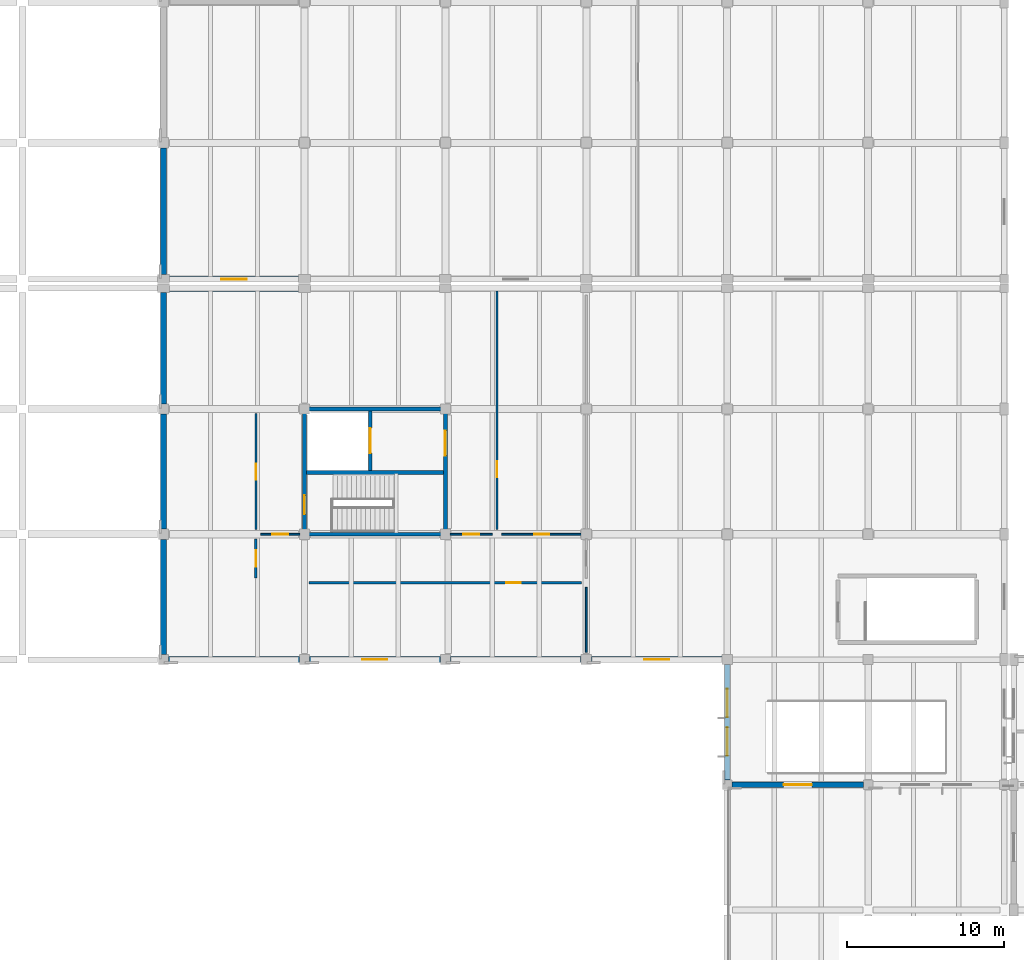
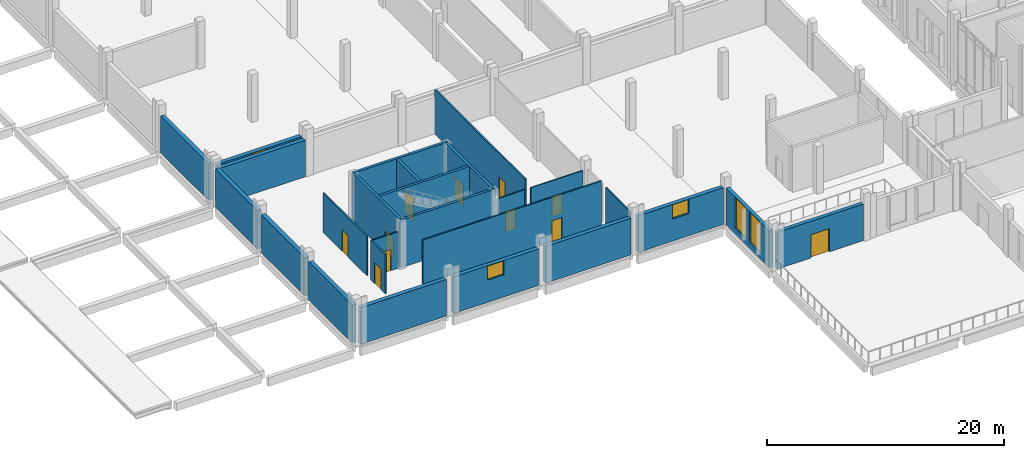
# One storey, part 75 of 110: 26 walls, 11 doors, 5 windows, 16 openings.
"""IFC4 building model written with IfcOpenShell, lengths in metres."""

from ifc_helpers import new_model, si_unit, direction, frame, frame_2d, origin, place, context, subcontext, project, spatial, rectangle, extrude, material, layer, layer_set, type_object, element, fill, save


model = new_model("IFC4")

# Units and contexts
model_context = context("Model", 3, precision=1e-05, world=origin(), true_north=direction((0.0, 1.0)))
body_context = subcontext(model_context, "Body", "Model", "MODEL_VIEW")
ifc_project = project(units=[si_unit("LENGTHUNIT", "METRE"), si_unit("AREAUNIT", "SQUARE_METRE"), si_unit("VOLUMEUNIT", "CUBIC_METRE"), si_unit("PLANEANGLEUNIT", "RADIAN"), si_unit("MASSUNIT", "GRAM", prefix="KILO")], contexts=[model_context])

# Site, building, storey
site_placement = place(None, origin())
site = spatial("IfcSite", under=ifc_project, at=site_placement, CompositionType="ELEMENT")
building_placement = place(site_placement, origin())
building = spatial("IfcBuilding", under=site, at=building_placement, Name="Zacnel Wholesale Market", CompositionType="ELEMENT")
storey_placement = place(building_placement, frame((0.0, 0.0, 6.300048828125)))
storey = spatial("IfcBuildingStorey", under=building, at=storey_placement, Name="L02", CompositionType="ELEMENT", Elevation=6.300048828125)

# Walls
ifc_material_1 = material(Name="Concrete C40/50", Category="concrete")
ifc_layer_1 = layer(ifc_material_1, 0.25)
ifc_layer_set_1 = layer_set([ifc_layer_1], Name="Concrete C40/50")
wall_type_1 = type_object("IfcWallType", Name="WL-CORE-SW250", PredefinedType="SOLIDWALL", material=ifc_layer_set_1)
for number, where, z_axis, x_axis, name in (
    (1, (26.875, 32.0, 0.0), (0.0, 0.0, 1.0), (1.0, 0.0, 0.0), "Core C3 south shear wall L02"),
    (2, (26.875, 40.0, 0.0), (0.0, 0.0, 1.0), (1.0, 0.0, 0.0), "Core C3 north shear wall L02"),
):
    element("IfcWall", number, at=place(storey_placement, frame(where, z_axis=z_axis, x_axis=x_axis)), inside=storey, type_object=wall_type_1, Name=name, PredefinedType="SOLIDWALL", context=body_context, shape_type="SweptSolid", body=[
        extrude(rectangle(XDim=9.25, YDim=0.25, at=frame_2d((4.625, 0.0))), origin(), (0.0, 0.0, 1.0), 4.89990234375),
    ])

# Wall, opening, door
wall_1_placement = place(storey_placement, frame((27.0, 32.125, 0.0), z_axis=(0.0, 0.0, 1.0), x_axis=(0.0, 1.0, 0.0)))
wall_1 = element("IfcWall", 3, at=wall_1_placement, inside=storey, type_object=wall_type_1, Name="Core C3 west shear wall L02", PredefinedType="SOLIDWALL", context=body_context, shape_type="SweptSolid", body=[
    extrude(rectangle(XDim=7.75, YDim=0.25, at=frame_2d((3.875, 0.0))), origin(), (0.0, 0.0, 1.0), 4.89990234375),
])
opening_1_placement = place(wall_1_placement, frame((1.14990234375, 0.0, 0.0)))
opening_1 = element("IfcOpeningElement", 4, at=opening_1_placement, cuts=wall_1, Name="Opening FD-01", PredefinedType="OPENING", context=body_context, shape_type="SweptSolid", body=[
    extrude(rectangle(XDim=1.199951171875, YDim=2.199951171875, at=frame_2d((0.60009765625, 1.10009765625))), frame((0.0, 0.135009765625, 0.0), z_axis=(0.0, -1.0, 0.0), x_axis=(1.0, 0.0, 0.0)), (0.0, 0.0, 1.0), 0.27001953125),
])
ifc_material_2 = material(Name="Galvanized steel", Category="steel")
door_type_1 = type_object("IfcDoorType", Name="DR-FIRE-STAIR-1200", OperationType="NOTDEFINED", PredefinedType="DOOR", material=ifc_material_2)
door_1_placement = place(opening_1_placement, origin())
door_1 = element("IfcDoor", 5, at=door_1_placement, inside=storey, type_object=door_type_1, Name="Protected stair fire door C3 L02", OperationType="SINGLE_SWING_RIGHT", OverallHeight=2.199951171875, OverallWidth=1.199951171875, PredefinedType="DOOR", context=body_context, shape_type="SweptSolid", body=[
    extrude(rectangle(XDim=1.199951171875, YDim=2.199951171875, at=frame_2d((0.60009765625, 1.10009765625))), frame((0.0, 0.02490234375, 0.0), z_axis=(0.0, -1.0, 0.0), x_axis=(1.0, 0.0, 0.0)), (0.0, 0.0, 1.0), 0.050048828125),
])
fill(opening_1, door_1)

wall_2_placement = place(storey_placement, frame((36.0, 32.125, 0.0), z_axis=(0.0, 0.0, 1.0), x_axis=(0.0, 1.0, 0.0)))
wall_2 = element("IfcWall", 6, at=wall_2_placement, inside=storey, type_object=wall_type_1, Name="Core C3 east shear wall L02", PredefinedType="SOLIDWALL", context=body_context, shape_type="SweptSolid", body=[
    extrude(rectangle(XDim=7.75, YDim=0.25, at=frame_2d((3.875, 0.0))), origin(), (0.0, 0.0, 1.0), 4.89990234375),
])
opening_2_placement = place(wall_2_placement, frame((4.89990234375, 0.0, 0.0)))
opening_2 = element("IfcOpeningElement", 7, at=opening_2_placement, cuts=wall_2, Name="Opening FD-02", PredefinedType="OPENING", context=body_context, shape_type="SweptSolid", body=[
    extrude(rectangle(XDim=1.60009765625, YDim=2.199951171875, at=frame_2d((0.800048828125, 1.10009765625))), frame((0.0, 0.135009765625, 0.0), z_axis=(0.0, -1.0, 0.0), x_axis=(1.0, 0.0, 0.0)), (0.0, 0.0, 1.0), 0.27001953125),
])
ifc_material_3 = material(Name="Galvanized steel", Category="steel")
door_type_2 = type_object("IfcDoorType", Name="DR-FIRE-LOBBY-1600", OperationType="NOTDEFINED", PredefinedType="DOOR", material=ifc_material_3)
door_2_placement = place(opening_2_placement, origin())
door_2 = element("IfcDoor", 8, at=door_2_placement, inside=storey, type_object=door_type_2, Name="Core lift lobby fire door C3 L02", OperationType="SINGLE_SWING_LEFT", OverallHeight=2.199951171875, OverallWidth=1.60009765625, PredefinedType="DOOR", context=body_context, shape_type="SweptSolid", body=[
    extrude(rectangle(XDim=1.60009765625, YDim=2.199951171875, at=frame_2d((0.800048828125, 1.10009765625))), frame((0.0, 0.02490234375, 0.0), z_axis=(0.0, -1.0, 0.0), x_axis=(1.0, 0.0, 0.0)), (0.0, 0.0, 1.0), 0.050048828125),
])
fill(opening_2, door_2)

# Wall
wall_3_placement = place(storey_placement, frame((27.125, 35.949951171875, 0.0), z_axis=(0.0, 0.0, 1.0), x_axis=(1.0, 0.0, 0.0)))
element("IfcWall", 9, at=wall_3_placement, inside=storey, type_object=wall_type_1, Name="Core C3 stair-shaft shear wall L02", PredefinedType="SOLIDWALL", context=body_context, shape_type="SweptSolid", body=[
    extrude(rectangle(XDim=8.75, YDim=0.25, at=frame_2d((4.375, 0.0))), origin(), (0.0, 0.0, 1.0), 4.89990234375),
])

# Wall, opening, door
wall_4_placement = place(storey_placement, frame((31.199951171875, 36.074951171875, 0.0), z_axis=(0.0, 0.0, 1.0), x_axis=(0.0, 1.0, 0.0)))
wall_4 = element("IfcWall", 10, at=wall_4_placement, inside=storey, type_object=wall_type_1, Name="Core C3 lift shaft front wall L02", PredefinedType="SOLIDWALL", context=body_context, shape_type="SweptSolid", body=[
    extrude(rectangle(XDim=3.800048828125, YDim=0.25, at=frame_2d((1.89990234375, 0.0))), origin(), (0.0, 0.0, 1.0), 4.89990234375),
])
opening_3_placement = place(wall_4_placement, frame((1.10009765625, 0.0, 0.0)))
opening_3 = element("IfcOpeningElement", 11, at=opening_3_placement, cuts=wall_4, Name="Opening LD-02", PredefinedType="OPENING", context=body_context, shape_type="SweptSolid", body=[
    extrude(rectangle(XDim=1.60009765625, YDim=2.39990234375, at=frame_2d((0.800048828125, 1.199951171875))), frame((0.0, 0.135009765625, 0.0), z_axis=(0.0, -1.0, 0.0), x_axis=(1.0, 0.0, 0.0)), (0.0, 0.0, 1.0), 0.27001953125),
])
ifc_material_4 = material(Name="Galvanized steel", Category="steel")
door_type_3 = type_object("IfcDoorType", Name="DR-LIFT-GOODS-1600", OperationType="NOTDEFINED", PredefinedType="DOOR", material=ifc_material_4)
door_3_placement = place(opening_3_placement, origin())
door_3 = element("IfcDoor", 12, at=door_3_placement, inside=storey, type_object=door_type_3, Name="Lift landing door LG-01 L02", OperationType="SLIDING_TO_LEFT", OverallHeight=2.39990234375, OverallWidth=1.60009765625, PredefinedType="DOOR", context=body_context, shape_type="SweptSolid", body=[
    extrude(rectangle(XDim=1.60009765625, YDim=2.39990234375, at=frame_2d((0.800048828125, 1.199951171875))), frame((0.0, 0.02490234375, 0.0), z_axis=(0.0, -1.0, 0.0), x_axis=(1.0, 0.0, 0.0)), (0.0, 0.0, 1.0), 0.050048828125),
])
fill(opening_3, door_3)

# Wall
ifc_material_5 = material(Name="Precast concrete C40/50 (insulated sandwich panel)", Category="concrete")
ifc_layer_2 = layer(ifc_material_5, 0.3798828125)
ifc_layer_set_2 = layer_set([ifc_layer_2], Name="Precast concrete C40/50 (insulated sandwich panel)")
wall_type_2 = type_object("IfcWallType", Name="WL-EXT-COLD-380", PredefinedType="SOLIDWALL", material=ifc_layer_set_2)
wall_5_placement = place(storey_placement, frame((18.324951171875, 24.0, 0.0), z_axis=(0.0, 0.0, 1.0), x_axis=(1.0, 0.0, 0.0)))
element("IfcWall", 13, at=wall_5_placement, inside=storey, type_object=wall_type_2, Name="Exterior wall L02-0176", PredefinedType="SOLIDWALL", context=body_context, shape_type="SweptSolid", body=[
    extrude(rectangle(XDim=8.35009765625, YDim=0.3798828125, at=frame_2d((4.175048828125, 0.0))), origin(), (0.0, 0.0, 1.0), 3.780029296875),
])

# Wall, opening, window
wall_6_placement = place(storey_placement, frame((27.324951171875, 24.0, 0.0), z_axis=(0.0, 0.0, 1.0), x_axis=(1.0, 0.0, 0.0)))
wall_6 = element("IfcWall", 14, at=wall_6_placement, inside=storey, type_object=wall_type_2, Name="Exterior wall L02-0177", PredefinedType="SOLIDWALL", context=body_context, shape_type="SweptSolid", body=[
    extrude(rectangle(XDim=8.35009765625, YDim=0.3798828125, at=frame_2d((4.175048828125, 0.0))), origin(), (0.0, 0.0, 1.0), 3.780029296875),
])
opening_4_placement = place(wall_6_placement, frame((3.375, 0.0, 2.2900390625)))
opening_4 = element("IfcOpeningElement", 15, at=opening_4_placement, cuts=wall_6, Name="Opening W-06", PredefinedType="OPENING", context=body_context, shape_type="SweptSolid", body=[
    extrude(rectangle(XDim=1.60009765625, YDim=1.449951171875, at=frame_2d((0.800048828125, 0.72509765625))), frame((0.0, 0.199951171875, 0.0), z_axis=(0.0, -1.0, 0.0), x_axis=(1.0, 0.0, 0.0)), (0.0, 0.0, 1.0), 0.39990234375),
])
ifc_material_6 = material(Name="Laminated hurricane-impact low-E insulated glass", Category="glass")
window_type_1 = type_object("IfcWindowType", Name="WIN-HIG-1600X1450", PartitioningType="DOUBLE_PANEL_HORIZONTAL", PredefinedType="WINDOW", material=ifc_material_6)
window_1_placement = place(opening_4_placement, origin())
window_1 = element("IfcWindow", 16, at=window_1_placement, inside=storey, type_object=window_type_1, Name="Window L02-0192", OverallHeight=1.449951171875, OverallWidth=1.60009765625, PartitioningType="DOUBLE_PANEL_HORIZONTAL", PredefinedType="WINDOW", context=body_context, shape_type="SweptSolid", body=[
    extrude(rectangle(XDim=1.60009765625, YDim=1.449951171875, at=frame_2d((0.800048828125, 0.72509765625))), frame((0.0, 0.030029296875, 0.0), z_axis=(0.0, -1.0, 0.0), x_axis=(1.0, 0.0, 0.0)), (0.0, 0.0, 1.0), 0.06005859375),
])
fill(opening_4, window_1)

# Wall
wall_7_placement = place(storey_placement, frame((36.324951171875, 24.0, 0.0), z_axis=(0.0, 0.0, 1.0), x_axis=(1.0, 0.0, 0.0)))
element("IfcWall", 17, at=wall_7_placement, inside=storey, type_object=wall_type_2, Name="Exterior wall L02-0178", PredefinedType="SOLIDWALL", context=body_context, shape_type="SweptSolid", body=[
    extrude(rectangle(XDim=8.35009765625, YDim=0.3798828125, at=frame_2d((4.175048828125, 0.0))), origin(), (0.0, 0.0, 1.0), 3.780029296875),
])

# Wall, opening, window
wall_8_placement = place(storey_placement, frame((45.324951171875, 24.0, 0.0), z_axis=(0.0, 0.0, 1.0), x_axis=(1.0, 0.0, 0.0)))
wall_8 = element("IfcWall", 18, at=wall_8_placement, inside=storey, type_object=wall_type_2, Name="Exterior wall L02-0179", PredefinedType="SOLIDWALL", context=body_context, shape_type="SweptSolid", body=[
    extrude(rectangle(XDim=8.35009765625, YDim=0.3798828125, at=frame_2d((4.175048828125, 0.0))), origin(), (0.0, 0.0, 1.0), 3.780029296875),
])
opening_5_placement = place(wall_8_placement, frame((3.375, 0.0, 2.2900390625)))
opening_5 = element("IfcOpeningElement", 19, at=opening_5_placement, cuts=wall_8, Name="Opening W-06", PredefinedType="OPENING", context=body_context, shape_type="SweptSolid", body=[
    extrude(rectangle(XDim=1.60009765625, YDim=1.449951171875, at=frame_2d((0.800048828125, 0.72509765625))), frame((0.0, 0.199951171875, 0.0), z_axis=(0.0, -1.0, 0.0), x_axis=(1.0, 0.0, 0.0)), (0.0, 0.0, 1.0), 0.39990234375),
])
window_2_placement = place(opening_5_placement, origin())
window_2 = element("IfcWindow", 20, at=window_2_placement, inside=storey, type_object=window_type_1, Name="Window L02-0193", OverallHeight=1.449951171875, OverallWidth=1.60009765625, PartitioningType="DOUBLE_PANEL_HORIZONTAL", PredefinedType="WINDOW", context=body_context, shape_type="SweptSolid", body=[
    extrude(rectangle(XDim=1.60009765625, YDim=1.449951171875, at=frame_2d((0.800048828125, 0.72509765625))), frame((0.0, 0.030029296875, 0.0), z_axis=(0.0, -1.0, 0.0), x_axis=(1.0, 0.0, 0.0)), (0.0, 0.0, 1.0), 0.06005859375),
])
fill(opening_5, window_2)

# Walls
wall_9_placement = place(storey_placement, frame((18.375, 47.699951171875, 0.0), z_axis=(0.0, 0.0, 1.0), x_axis=(1.0, 0.0, 0.0)))
element("IfcWall", 21, at=wall_9_placement, inside=storey, type_object=wall_type_2, Name="Exterior wall L02-0180", PredefinedType="SOLIDWALL", context=body_context, shape_type="SweptSolid", body=[
    extrude(rectangle(XDim=8.25, YDim=0.3798828125, at=frame_2d((4.125, 0.0))), origin(), (0.0, 0.0, 1.0), 3.780029296875),
])
for number, where, z_axis, x_axis, name in (
    (22, (18.0, 24.324951171875, 0.0), (0.0, 0.0, 1.0), (0.0, 1.0, 0.0), "Exterior wall L02-0186"),
    (23, (18.0, 32.324951171875, 0.0), (0.0, 0.0, 1.0), (0.0, 1.0, 0.0), "Exterior wall L02-0187"),
):
    element("IfcWall", number, at=place(storey_placement, frame(where, z_axis=z_axis, x_axis=x_axis)), inside=storey, type_object=wall_type_2, Name=name, PredefinedType="SOLIDWALL", context=body_context, shape_type="SweptSolid", body=[
        extrude(rectangle(XDim=7.35009765625, YDim=0.3798828125, at=frame_2d((3.675048828125, 0.0))), origin(), (0.0, 0.0, 1.0), 3.949951171875),
    ])
wall_10_placement = place(storey_placement, frame((18.0, 40.324951171875, 0.0), z_axis=(0.0, 0.0, 1.0), x_axis=(0.0, 1.0, 0.0)))
element("IfcWall", 24, at=wall_10_placement, inside=storey, type_object=wall_type_2, Name="Exterior wall L02-0188", PredefinedType="SOLIDWALL", context=body_context, shape_type="SweptSolid", body=[
    extrude(rectangle(XDim=7.10009765625, YDim=0.3798828125, at=frame_2d((3.550048828125, 0.0))), origin(), (0.0, 0.0, 1.0), 3.949951171875),
])

# Wall, opening, window
wall_11_placement = place(storey_placement, frame((18.375, 48.300048828125, 0.0), z_axis=(0.0, 0.0, 1.0), x_axis=(1.0, 0.0, 0.0)))
wall_11 = element("IfcWall", 25, at=wall_11_placement, inside=storey, type_object=wall_type_2, Name="Exterior wall L02-0192", PredefinedType="SOLIDWALL", context=body_context, shape_type="SweptSolid", body=[
    extrude(rectangle(XDim=8.25, YDim=0.3798828125, at=frame_2d((4.125, 0.0))), origin(), (0.0, 0.0, 1.0), 3.780029296875),
])
opening_6_placement = place(wall_11_placement, frame((3.324951171875, 0.0, 2.2900390625)))
opening_6 = element("IfcOpeningElement", 26, at=opening_6_placement, cuts=wall_11, Name="Opening W-06", PredefinedType="OPENING", context=body_context, shape_type="SweptSolid", body=[
    extrude(rectangle(XDim=1.60009765625, YDim=1.449951171875, at=frame_2d((0.800048828125, 0.72509765625))), frame((0.0, 0.199951171875, 0.0), z_axis=(0.0, -1.0, 0.0), x_axis=(1.0, 0.0, 0.0)), (0.0, 0.0, 1.0), 0.39990234375),
])
window_3_placement = place(opening_6_placement, origin())
window_3 = element("IfcWindow", 27, at=window_3_placement, inside=storey, type_object=window_type_1, Name="Window L02-0195", OverallHeight=1.449951171875, OverallWidth=1.60009765625, PartitioningType="DOUBLE_PANEL_HORIZONTAL", PredefinedType="WINDOW", context=body_context, shape_type="SweptSolid", body=[
    extrude(rectangle(XDim=1.60009765625, YDim=1.449951171875, at=frame_2d((0.800048828125, 0.72509765625))), frame((0.0, 0.030029296875, 0.0), z_axis=(0.0, -1.0, 0.0), x_axis=(1.0, 0.0, 0.0)), (0.0, 0.0, 1.0), 0.06005859375),
])
fill(opening_6, window_3)

# Wall
wall_12_placement = place(storey_placement, frame((18.0, 48.574951171875, 0.0), z_axis=(0.0, 0.0, 1.0), x_axis=(0.0, 1.0, 0.0)))
element("IfcWall", 28, at=wall_12_placement, inside=storey, type_object=wall_type_2, Name="Exterior wall L02-0204", PredefinedType="SOLIDWALL", context=body_context, shape_type="SweptSolid", body=[
    extrude(rectangle(XDim=8.10009765625, YDim=0.3798828125, at=frame_2d((4.050048828125, 0.0))), origin(), (0.0, 0.0, 1.0), 3.800048828125),
])

# Wall, opening, door
ifc_material_7 = material(Name="Precast concrete C40/50 (Cancun limestone aggregate)", Category="masonry")
ifc_layer_3 = layer(ifc_material_7, 0.340087890625)
ifc_layer_set_3 = layer_set([ifc_layer_3], Name="Precast concrete C40/50 (Cancun limestone aggregate)")
wall_type_3 = type_object("IfcWallType", Name="WL-EXT-LIME-340", PredefinedType="SOLIDWALL", material=ifc_layer_set_3)
wall_13_placement = place(storey_placement, frame((54.300048828125, 16.0, 0.0), z_axis=(0.0, 0.0, 1.0), x_axis=(1.0, 0.0, 0.0)))
wall_13 = element("IfcWall", 29, at=wall_13_placement, inside=storey, type_object=wall_type_3, Name="Exterior wall L02-0234", PredefinedType="SOLIDWALL", context=body_context, shape_type="SweptSolid", body=[
    extrude(rectangle(XDim=8.39990234375, YDim=0.340087890625, at=frame_2d((4.199951171875, 0.0))), origin(), (0.0, 0.0, 1.0), 3.780029296875),
])
opening_7_placement = place(wall_13_placement, frame((3.300048828125, 0.0, 0.0)))
opening_7 = element("IfcOpeningElement", 30, at=opening_7_placement, cuts=wall_13, Name="Opening ED-03", PredefinedType="OPENING", context=body_context, shape_type="SweptSolid", body=[
    extrude(rectangle(XDim=1.800048828125, YDim=2.39990234375, at=frame_2d((0.89990234375, 1.199951171875))), frame((0.0, 0.179931640625, 0.0), z_axis=(0.0, -1.0, 0.0), x_axis=(1.0, 0.0, 0.0)), (0.0, 0.0, 1.0), 0.360107421875),
])
ifc_material_8 = material(Name="Anodised aluminium", Category="aluminium")
door_type_4 = type_object("IfcDoorType", Name="DR-EXT-TERR-1800", OperationType="NOTDEFINED", PredefinedType="DOOR", material=ifc_material_8)
door_4_placement = place(opening_7_placement, origin())
door_4 = element("IfcDoor", 31, at=door_4_placement, inside=storey, type_object=door_type_4, Name="Terrace access door L02-051", OperationType="DOUBLE_DOOR_SINGLE_SWING", OverallHeight=2.39990234375, OverallWidth=1.800048828125, PredefinedType="DOOR", context=body_context, shape_type="SweptSolid", body=[
    extrude(rectangle(XDim=1.800048828125, YDim=2.39990234375, at=frame_2d((0.89990234375, 1.199951171875))), frame((0.0, 0.02490234375, 0.0), z_axis=(0.0, -1.0, 0.0), x_axis=(1.0, 0.0, 0.0)), (0.0, 0.0, 1.0), 0.050048828125),
])
fill(opening_7, door_4)

# Wall, openings, windows
wall_14_placement = place(storey_placement, frame((54.0, 16.300048828125, 0.0), z_axis=(0.0, 0.0, 1.0), x_axis=(0.0, 1.0, 0.0)))
wall_14 = element("IfcWall", 32, at=wall_14_placement, inside=storey, type_object=wall_type_3, Name="Exterior wall L02-0236", PredefinedType="SOLIDWALL", context=body_context, shape_type="SweptSolid", body=[
    extrude(rectangle(XDim=7.375, YDim=0.340087890625, at=frame_2d((3.6875, 0.0))), origin(), (0.0, 0.0, 1.0), 3.780029296875),
])
opening_8_placement = place(wall_14_placement, frame((1.55810546875, 0.0, 0.590087890625)))
opening_8 = element("IfcOpeningElement", 33, at=opening_8_placement, cuts=wall_14, Name="Opening W-03", PredefinedType="OPENING", context=body_context, shape_type="SweptSolid", body=[
    extrude(rectangle(XDim=1.800048828125, YDim=3.14990234375, at=frame_2d((0.89990234375, 1.574951171875))), frame((0.0, 0.179931640625, 0.0), z_axis=(0.0, -1.0, 0.0), x_axis=(1.0, 0.0, 0.0)), (0.0, 0.0, 1.0), 0.360107421875),
])
opening_9_placement = place(wall_14_placement, frame((4.01708984375, 0.0, 0.590087890625)))
opening_9 = element("IfcOpeningElement", 34, at=opening_9_placement, cuts=wall_14, Name="Opening W-03", PredefinedType="OPENING", context=body_context, shape_type="SweptSolid", body=[
    extrude(rectangle(XDim=1.800048828125, YDim=3.14990234375, at=frame_2d((0.89990234375, 1.574951171875))), frame((0.0, 0.179931640625, 0.0), z_axis=(0.0, -1.0, 0.0), x_axis=(1.0, 0.0, 0.0)), (0.0, 0.0, 1.0), 0.360107421875),
])
ifc_material_9 = material(Name="Laminated hurricane-impact low-E insulated glass", Category="glass")
window_type_2 = type_object("IfcWindowType", Name="WIN-DEC-1800X3150", PartitioningType="DOUBLE_PANEL_VERTICAL", PredefinedType="WINDOW", material=ifc_material_9)
window_4_placement = place(opening_8_placement, origin())
window_4 = element("IfcWindow", 35, at=window_4_placement, inside=storey, type_object=window_type_2, Name="Window L02-0209", OverallHeight=3.14990234375, OverallWidth=1.800048828125, PartitioningType="DOUBLE_PANEL_VERTICAL", PredefinedType="WINDOW", context=body_context, shape_type="SweptSolid", body=[
    extrude(rectangle(XDim=1.800048828125, YDim=3.14990234375, at=frame_2d((0.89990234375, 1.574951171875))), frame((0.0, 0.030029296875, 0.0), z_axis=(0.0, -1.0, 0.0), x_axis=(1.0, 0.0, 0.0)), (0.0, 0.0, 1.0), 0.06005859375),
])
fill(opening_8, window_4)
window_5_placement = place(opening_9_placement, origin())
window_5 = element("IfcWindow", 36, at=window_5_placement, inside=storey, type_object=window_type_2, Name="Window L02-0210", OverallHeight=3.14990234375, OverallWidth=1.800048828125, PartitioningType="DOUBLE_PANEL_VERTICAL", PredefinedType="WINDOW", context=body_context, shape_type="SweptSolid", body=[
    extrude(rectangle(XDim=1.800048828125, YDim=3.14990234375, at=frame_2d((0.89990234375, 1.574951171875))), frame((0.0, 0.030029296875, 0.0), z_axis=(0.0, -1.0, 0.0), x_axis=(1.0, 0.0, 0.0)), (0.0, 0.0, 1.0), 0.06005859375),
])
fill(opening_9, window_5)

# Wall, opening, door
ifc_material_10 = material(Name="Moisture-resistant gypsum board partition")
ifc_layer_4 = layer(ifc_material_10, 0.10009765625)
ifc_layer_set_4 = layer_set([ifc_layer_4], Name="Moisture-resistant gypsum board partition")
wall_type_4 = type_object("IfcWallType", Name="WL-PART-GYP100", PredefinedType="PARTITIONING", material=ifc_layer_set_4)
wall_15_placement = place(storey_placement, frame((39.60009765625, 32.0, 0.0), z_axis=(0.0, 0.0, 1.0), x_axis=(1.0, 0.0, 0.0)))
wall_15 = element("IfcWall", 37, at=wall_15_placement, inside=storey, type_object=wall_type_4, Name="Interior partition L02-0060", PredefinedType="PARTITIONING", context=body_context, shape_type="SweptSolid", body=[
    extrude(rectangle(XDim=5.099853515625, YDim=0.10009765625, at=frame_2d((2.5498046875, 0.0))), origin(), (0.0, 0.0, 1.0), 3.75),
])
opening_10_placement = place(wall_15_placement, frame((2.06005859375, 0.0, 0.0)))
opening_10 = element("IfcOpeningElement", 38, at=opening_10_placement, cuts=wall_15, Name="Opening ID-04", PredefinedType="OPENING", context=body_context, shape_type="SweptSolid", body=[
    extrude(rectangle(XDim=0.97998046875, YDim=2.1201171875, at=frame_2d((0.489990234375, 1.06005859375))), frame((0.0, 0.06005859375, 0.0), z_axis=(0.0, -1.0, 0.0), x_axis=(1.0, 0.0, 0.0)), (0.0, 0.0, 1.0), 0.1201171875),
])
ifc_material_11 = material(Name="Solid-core tropical hardwood door", Category="wood")
door_type_5 = type_object("IfcDoorType", Name="DR-OFF-SGL-980", OperationType="NOTDEFINED", PredefinedType="DOOR", material=ifc_material_11)
door_5_placement = place(opening_10_placement, origin())
door_5 = element("IfcDoor", 39, at=door_5_placement, inside=storey, type_object=door_type_5, Name="Interior door L02-0047", OperationType="SINGLE_SWING_RIGHT", OverallHeight=2.1201171875, OverallWidth=0.97998046875, PredefinedType="DOOR", context=body_context, shape_type="SweptSolid", body=[
    extrude(rectangle(XDim=0.97998046875, YDim=2.1201171875, at=frame_2d((0.489990234375, 1.06005859375))), frame((0.0, 0.02490234375, 0.0), z_axis=(0.0, -1.0, 0.0), x_axis=(1.0, 0.0, 0.0)), (0.0, 0.0, 1.0), 0.050048828125),
])
fill(opening_10, door_5)

ifc_material_12 = material(Name="Moisture-resistant gypsum board partition")
ifc_layer_5 = layer(ifc_material_12, 0.110107421875)
ifc_layer_set_5 = layer_set([ifc_layer_5], Name="Moisture-resistant gypsum board partition")
wall_type_5 = type_object("IfcWallType", Name="WL-PART-GYP110", PredefinedType="PARTITIONING", material=ifc_layer_set_5)
wall_16_placement = place(storey_placement, frame((36.300048828125, 32.0, 0.0), z_axis=(0.0, 0.0, 1.0), x_axis=(1.0, 0.0, 0.0)))
wall_16 = element("IfcWall", 40, at=wall_16_placement, inside=storey, type_object=wall_type_5, Name="Interior partition L02-0059", PredefinedType="PARTITIONING", context=body_context, shape_type="SweptSolid", body=[
    extrude(rectangle(XDim=2.699951171875, YDim=0.110107421875, at=frame_2d((1.35009765625, 0.0))), origin(), (0.0, 0.0, 1.0), 3.75),
])
opening_11_placement = place(wall_16_placement, frame((0.85009765625, 0.0, 0.0)))
opening_11 = element("IfcOpeningElement", 41, at=opening_11_placement, cuts=wall_16, Name="Opening ID-03", PredefinedType="OPENING", context=body_context, shape_type="SweptSolid", body=[
    extrude(rectangle(XDim=1.0, YDim=2.14990234375, at=frame_2d((0.5, 1.074951171875))), frame((0.0, 0.06494140625, 0.0), z_axis=(0.0, -1.0, 0.0), x_axis=(1.0, 0.0, 0.0)), (0.0, 0.0, 1.0), 0.130126953125),
])
ifc_material_13 = material(Name="Solid-core tropical hardwood door", Category="wood")
door_type_6 = type_object("IfcDoorType", Name="DR-OFF-SGL-1000", OperationType="NOTDEFINED", PredefinedType="DOOR", material=ifc_material_13)
door_6_placement = place(opening_11_placement, origin())
door_6 = element("IfcDoor", 42, at=door_6_placement, inside=storey, type_object=door_type_6, Name="Interior door L02-0046", OperationType="SINGLE_SWING_LEFT", OverallHeight=2.14990234375, OverallWidth=1.0, PredefinedType="DOOR", context=body_context, shape_type="SweptSolid", body=[
    extrude(rectangle(XDim=1.0, YDim=2.14990234375, at=frame_2d((0.5, 1.074951171875))), frame((0.0, 0.02490234375, 0.0), z_axis=(0.0, -1.0, 0.0), x_axis=(1.0, 0.0, 0.0)), (0.0, 0.0, 1.0), 0.050048828125),
])
fill(opening_11, door_6)

# Wall
wall_17_placement = place(storey_placement, frame((45.0, 24.449951171875, 0.0), z_axis=(0.0, 0.0, 1.0), x_axis=(0.0, 1.0, 0.0)))
element("IfcWall", 43, at=wall_17_placement, inside=storey, type_object=wall_type_5, Name="Interior partition L02-0063", PredefinedType="PARTITIONING", context=body_context, shape_type="SweptSolid", body=[
    extrude(rectangle(XDim=4.150146484375, YDim=0.110107421875, at=frame_2d((2.0751953125, 0.0))), origin(), (0.0, 0.0, 1.0), 3.949951171875),
])

# Wall, opening, door
ifc_material_14 = material(Name="Moisture-resistant gypsum board partition")
ifc_layer_6 = layer(ifc_material_14, 0.125)
ifc_layer_set_6 = layer_set([ifc_layer_6], Name="Moisture-resistant gypsum board partition")
wall_type_6 = type_object("IfcWallType", Name="WL-PART-GYP125", PredefinedType="PARTITIONING", material=ifc_layer_set_6)
wall_18_placement = place(storey_placement, frame((24.199951171875, 32.0, 0.0), z_axis=(0.0, 0.0, 1.0), x_axis=(1.0, 0.0, 0.0)))
wall_18 = element("IfcWall", 44, at=wall_18_placement, inside=storey, type_object=wall_type_6, Name="Interior partition L02-0058", PredefinedType="PARTITIONING", context=body_context, shape_type="SweptSolid", body=[
    extrude(rectangle(XDim=2.5, YDim=0.125, at=frame_2d((1.25, 0.0))), origin(), (0.0, 0.0, 1.0), 3.75),
])
opening_12_placement = place(wall_18_placement, frame((0.739990234375, 0.0, 0.0)))
opening_12 = element("IfcOpeningElement", 45, at=opening_12_placement, cuts=wall_18, Name="Opening ID-12", PredefinedType="OPENING", context=body_context, shape_type="SweptSolid", body=[
    extrude(rectangle(XDim=1.02001953125, YDim=2.179931640625, at=frame_2d((0.510009765625, 1.08984375))), frame((0.0, 0.072509765625, 0.0), z_axis=(0.0, -1.0, 0.0), x_axis=(1.0, 0.0, 0.0)), (0.0, 0.0, 1.0), 0.14501953125),
])
ifc_material_15 = material(Name="Solid-core tropical hardwood door", Category="wood")
door_type_7 = type_object("IfcDoorType", Name="DR-OFF-SGL-1020", OperationType="NOTDEFINED", PredefinedType="DOOR", material=ifc_material_15)
door_7_placement = place(opening_12_placement, origin())
door_7 = element("IfcDoor", 46, at=door_7_placement, inside=storey, type_object=door_type_7, Name="Interior door L02-0045", OperationType="SINGLE_SWING_RIGHT", OverallHeight=2.179931640625, OverallWidth=1.02001953125, PredefinedType="DOOR", context=body_context, shape_type="SweptSolid", body=[
    extrude(rectangle(XDim=1.02001953125, YDim=2.179931640625, at=frame_2d((0.510009765625, 1.08984375))), frame((0.0, 0.02490234375, 0.0), z_axis=(0.0, -1.0, 0.0), x_axis=(1.0, 0.0, 0.0)), (0.0, 0.0, 1.0), 0.050048828125),
])
fill(opening_12, door_7)

ifc_material_16 = material(Name="Moisture-resistant gypsum board partition")
ifc_layer_7 = layer(ifc_material_16, 0.139892578125)
ifc_layer_set_7 = layer_set([ifc_layer_7], Name="Moisture-resistant gypsum board partition")
wall_type_7 = type_object("IfcWallType", Name="WL-PART-GYP140", PredefinedType="PARTITIONING", material=ifc_layer_set_7)
wall_19_placement = place(storey_placement, frame((27.300048828125, 28.89990234375, 0.0), z_axis=(0.0, 0.0, 1.0), x_axis=(1.0, 0.0, 0.0)))
wall_19 = element("IfcWall", 47, at=wall_19_placement, inside=storey, type_object=wall_type_7, Name="Interior partition L02-0057", PredefinedType="PARTITIONING", context=body_context, shape_type="SweptSolid", body=[
    extrude(rectangle(XDim=17.39990234375, YDim=0.139892578125, at=frame_2d((8.699951171875, 0.0))), origin(), (0.0, 0.0, 1.0), 4.56005859375),
])
opening_13_placement = place(wall_19_placement, frame((12.580078125, 0.0, 0.0)))
opening_13 = element("IfcOpeningElement", 48, at=opening_13_placement, cuts=wall_19, Name="Opening ID-11", PredefinedType="OPENING", context=body_context, shape_type="SweptSolid", body=[
    extrude(rectangle(XDim=0.93994140625, YDim=2.139892578125, at=frame_2d((0.469970703125, 1.06982421875))), frame((0.0, 0.079833984375, 0.0), z_axis=(0.0, -1.0, 0.0), x_axis=(1.0, 0.0, 0.0)), (0.0, 0.0, 1.0), 0.159912109375),
])
ifc_material_17 = material(Name="Solid-core tropical hardwood door", Category="wood")
door_type_8 = type_object("IfcDoorType", Name="DR-OFF-SGL-940", OperationType="NOTDEFINED", PredefinedType="DOOR", material=ifc_material_17)
door_8_placement = place(opening_13_placement, origin())
door_8 = element("IfcDoor", 49, at=door_8_placement, inside=storey, type_object=door_type_8, Name="Interior door L02-0044", OperationType="SINGLE_SWING_LEFT", OverallHeight=2.139892578125, OverallWidth=0.93994140625, PredefinedType="DOOR", context=body_context, shape_type="SweptSolid", body=[
    extrude(rectangle(XDim=0.93994140625, YDim=2.139892578125, at=frame_2d((0.469970703125, 1.06982421875))), frame((0.0, 0.02490234375, 0.0), z_axis=(0.0, -1.0, 0.0), x_axis=(1.0, 0.0, 0.0)), (0.0, 0.0, 1.0), 0.050048828125),
])
fill(opening_13, door_8)

wall_20_placement = place(storey_placement, frame((39.300048828125, 32.300048828125, 0.0), z_axis=(0.0, 0.0, 1.0), x_axis=(0.0, 1.0, 0.0)))
wall_20 = element("IfcWall", 50, at=wall_20_placement, inside=storey, type_object=wall_type_7, Name="Interior partition L02-0065", PredefinedType="PARTITIONING", context=body_context, shape_type="SweptSolid", body=[
    extrude(rectangle(XDim=15.22998046875, YDim=0.139892578125, at=frame_2d((7.614990234375, 0.0))), origin(), (0.0, 0.0, 1.0), 4.56005859375),
])
opening_14_placement = place(wall_20_placement, frame((3.35009765625, 0.0, 0.0)))
opening_14 = element("IfcOpeningElement", 51, at=opening_14_placement, cuts=wall_20, Name="Opening ID-03", PredefinedType="OPENING", context=body_context, shape_type="SweptSolid", body=[
    extrude(rectangle(XDim=1.0, YDim=2.14990234375, at=frame_2d((0.5, 1.074951171875))), frame((0.0, 0.079833984375, 0.0), z_axis=(0.0, -1.0, 0.0), x_axis=(1.0, 0.0, 0.0)), (0.0, 0.0, 1.0), 0.159912109375),
])
door_9_placement = place(opening_14_placement, origin())
door_9 = element("IfcDoor", 52, at=door_9_placement, inside=storey, type_object=door_type_6, Name="Interior door L02-0051", OperationType="SINGLE_SWING_RIGHT", OverallHeight=2.14990234375, OverallWidth=1.0, PredefinedType="DOOR", context=body_context, shape_type="SweptSolid", body=[
    extrude(rectangle(XDim=1.0, YDim=2.14990234375, at=frame_2d((0.5, 1.074951171875))), frame((0.0, 0.02490234375, 0.0), z_axis=(0.0, -1.0, 0.0), x_axis=(1.0, 0.0, 0.0)), (0.0, 0.0, 1.0), 0.050048828125),
])
fill(opening_14, door_9)

ifc_material_18 = material(Name="Concrete blockwork masonry", Category="masonry")
ifc_layer_8 = layer(ifc_material_18, 0.135009765625)
ifc_layer_set_8 = layer_set([ifc_layer_8], Name="Concrete blockwork masonry")
wall_type_8 = type_object("IfcWallType", Name="WL-PART-MAS135", PredefinedType="PARTITIONING", material=ifc_layer_set_8)
wall_21_placement = place(storey_placement, frame((23.89990234375, 32.300048828125, 0.0), z_axis=(0.0, 0.0, 1.0), x_axis=(0.0, 1.0, 0.0)))
wall_21 = element("IfcWall", 53, at=wall_21_placement, inside=storey, type_object=wall_type_8, Name="Interior partition L02-0064", PredefinedType="PARTITIONING", context=body_context, shape_type="SweptSolid", body=[
    extrude(rectangle(XDim=7.39990234375, YDim=0.135009765625, at=frame_2d((3.699951171875, 0.0))), origin(), (0.0, 0.0, 1.0), 4.050048828125),
])
opening_15_placement = place(wall_21_placement, frame((3.18994140625, 0.0, 0.0)))
opening_15 = element("IfcOpeningElement", 54, at=opening_15_placement, cuts=wall_21, Name="Opening ID-12", PredefinedType="OPENING", context=body_context, shape_type="SweptSolid", body=[
    extrude(rectangle(XDim=1.02001953125, YDim=2.179931640625, at=frame_2d((0.510009765625, 1.08984375))), frame((0.0, 0.077392578125, 0.0), z_axis=(0.0, -1.0, 0.0), x_axis=(1.0, 0.0, 0.0)), (0.0, 0.0, 1.0), 0.155029296875),
])
door_10_placement = place(opening_15_placement, origin())
door_10 = element("IfcDoor", 55, at=door_10_placement, inside=storey, type_object=door_type_7, Name="Interior door L02-0050", OperationType="SINGLE_SWING_LEFT", OverallHeight=2.179931640625, OverallWidth=1.02001953125, PredefinedType="DOOR", context=body_context, shape_type="SweptSolid", body=[
    extrude(rectangle(XDim=1.02001953125, YDim=2.179931640625, at=frame_2d((0.510009765625, 1.08984375))), frame((0.0, 0.02490234375, 0.0), z_axis=(0.0, -1.0, 0.0), x_axis=(1.0, 0.0, 0.0)), (0.0, 0.0, 1.0), 0.050048828125),
])
fill(opening_15, door_10)

ifc_material_19 = material(Name="Concrete blockwork masonry", Category="masonry")
ifc_layer_9 = layer(ifc_material_19, 0.14990234375)
ifc_layer_set_9 = layer_set([ifc_layer_9], Name="Concrete blockwork masonry")
wall_type_9 = type_object("IfcWallType", Name="WL-PART-MAS150", PredefinedType="PARTITIONING", material=ifc_layer_set_9)
wall_22_placement = place(storey_placement, frame((23.89990234375, 29.199951171875, 0.0), z_axis=(0.0, 0.0, 1.0), x_axis=(0.0, 1.0, 0.0)))
wall_22 = element("IfcWall", 56, at=wall_22_placement, inside=storey, type_object=wall_type_9, Name="Interior partition L02-0061", PredefinedType="PARTITIONING", context=body_context, shape_type="SweptSolid", body=[
    extrude(rectangle(XDim=2.5, YDim=0.14990234375, at=frame_2d((1.25, 0.0))), origin(), (0.0, 0.0, 1.0), 4.050048828125),
])
opening_16_placement = place(wall_22_placement, frame((0.7099609375, 0.0, 0.0)))
opening_16 = element("IfcOpeningElement", 57, at=opening_16_placement, cuts=wall_22, Name="Opening ID-10", PredefinedType="OPENING", context=body_context, shape_type="SweptSolid", body=[
    extrude(rectangle(XDim=1.080078125, YDim=2.14990234375, at=frame_2d((0.5400390625, 1.074951171875))), frame((0.0, 0.0849609375, 0.0), z_axis=(0.0, -1.0, 0.0), x_axis=(1.0, 0.0, 0.0)), (0.0, 0.0, 1.0), 0.169921875),
])
ifc_material_20 = material(Name="Galvanized steel", Category="steel")
door_type_9 = type_object("IfcDoorType", Name="DR-STR-SGL-1080", OperationType="NOTDEFINED", PredefinedType="DOOR", material=ifc_material_20)
door_11_placement = place(opening_16_placement, origin())
door_11 = element("IfcDoor", 58, at=door_11_placement, inside=storey, type_object=door_type_9, Name="Interior door L02-0048", OperationType="SINGLE_SWING_LEFT", OverallHeight=2.14990234375, OverallWidth=1.080078125, PredefinedType="DOOR", context=body_context, shape_type="SweptSolid", body=[
    extrude(rectangle(XDim=1.080078125, YDim=2.14990234375, at=frame_2d((0.5400390625, 1.074951171875))), frame((0.0, 0.02490234375, 0.0), z_axis=(0.0, -1.0, 0.0), x_axis=(1.0, 0.0, 0.0)), (0.0, 0.0, 1.0), 0.050048828125),
])
fill(opening_16, door_11)

save(model, "model.ifc")
